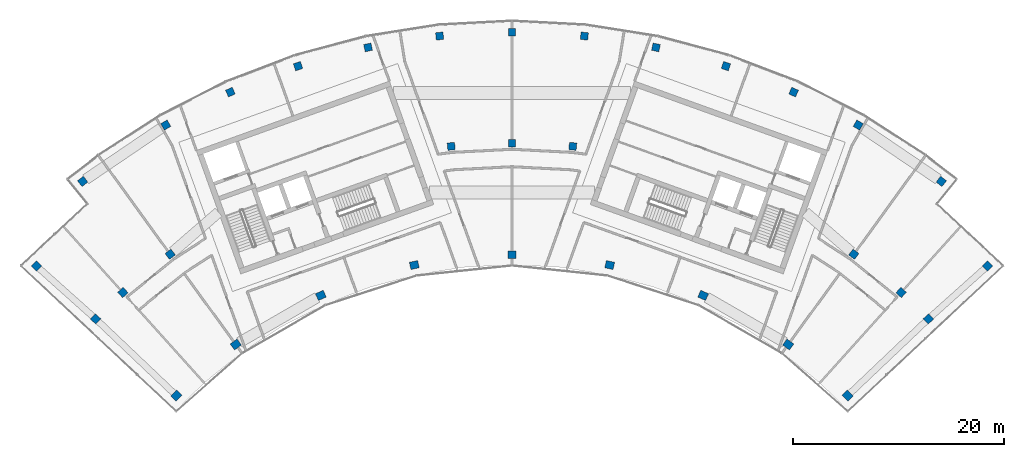
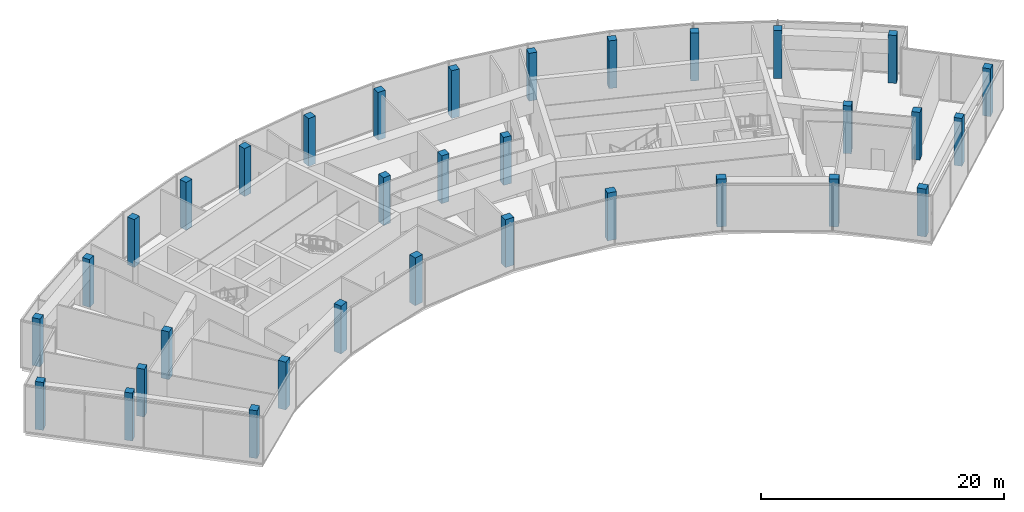
# One storey, part 1 of 17: 33 columns.
"""IFC4 building model written with IfcOpenShell, lengths in metres."""

from ifc_helpers import new_model, si_unit, direction, frame, origin, origin_2d, place, context, subcontext, project, spatial, rectangle, extrude, material, material_profile, profile_set, type_object, element, save


model = new_model("IFC4")

# Units and contexts
model_context = context("Model", 3, precision=1e-05, world=origin(), true_north=direction((0.0, 1.0)))
body_context = subcontext(model_context, "Body", "Model", "MODEL_VIEW")
ifc_project = project(units=[si_unit("LENGTHUNIT", "METRE"), si_unit("AREAUNIT", "SQUARE_METRE"), si_unit("VOLUMEUNIT", "CUBIC_METRE"), si_unit("PLANEANGLEUNIT", "RADIAN"), si_unit("MASSUNIT", "GRAM", prefix="KILO")], contexts=[model_context])

# Site, building, storey
site_placement = place(None, origin())
site = spatial("IfcSite", under=ifc_project, at=site_placement, CompositionType="ELEMENT")
building_placement = place(site_placement, origin())
building = spatial("IfcBuilding", under=site, at=building_placement, Name="Stone Belt Terrace Tower", CompositionType="ELEMENT")
storey_placement = place(building_placement, frame((0.0, 0.0, 318.199951171875)))
storey = spatial("IfcBuildingStorey", under=building, at=storey_placement, Name="L77", CompositionType="ELEMENT", Elevation=318.199951171875)

# Columns
ifc_material = material(Name="Concrete B60", Category="concrete")
ifc_material_profile_1 = material_profile(ifc_material, rectangle(XDim=0.699951171875, YDim=0.699951171875, at=origin_2d()), Name="RC 700x700")
ifc_profile_set_1 = profile_set([ifc_material_profile_1], Name="Concrete B60")
column_type_1 = type_object("IfcColumnType", Name="Column RC 700x700 B60", PredefinedType="COLUMN", material=ifc_profile_set_1)
for number, where, z_axis, x_axis, name in (
    (1, (-39.38818359375, 38.386962890625, 0.0), (0.0, 0.0, 1.0), (0.697944216238, 0.716152128406, 0.0), "Column L77 QA"),
    (2, (-36.80224609375, 40.873046875, 0.0), (0.0, 0.0, 1.0), (0.743144825477, 0.669130606359, 0.0), "Column L77 Q15"),
    (3, (-32.328125, 44.495849609375, 0.0), (0.0, 0.0, 1.0), (0.809016994375, 0.587785252292, 0.0), "Column L77 Q16"),
    (4, (-5.7490234375, 54.69873046875, 0.0), (0.0, 0.0, 1.0), (0.994521895368, 0.104528463268, 0.0), "Column L77 Q21"),
    (5, (0.0, 55.0, 0.0), (0.0, 0.0, 1.0), (1.0, 0.0, 0.0), "Column L77 Q22"),
    (6, (5.7490234375, 54.69873046875, 0.0), (0.0, 0.0, 1.0), (0.994521895368, -0.104528463268, 0.0), "Column L77 Q23"),
    (7, (32.328125, 44.495849609375, 0.0), (0.0, 0.0, 1.0), (0.809016994375, -0.587785252292, 0.0), "Column L77 Q28"),
    (8, (36.80224609375, 40.873046875, 0.0), (0.0, 0.0, 1.0), (0.743144825477, -0.669130606359, 0.0), "Column L77 Q29"),
    (9, (39.38818359375, 38.386962890625, 0.0), (0.0, 0.0, 1.0), (0.697944216238, -0.716152128406, 0.0), "Column L77 QB"),
    (10, (-44.97705078125, 43.381103515625, 0.0), (0.0, 0.0, 1.0), (0.694221333646, 0.719761585465, 0.0), "Column L77 RA"),
    (11, (44.97705078125, 43.381103515625, 0.0), (0.0, 0.0, 1.0), (0.694221333646, -0.719761585465, 0.0), "Column L77 RB"),
    (12, (-40.605712890625, 51.380615234375, 0.0), (0.0, 0.0, 1.0), (0.784569718703, 0.620040608746, 0.0), "Column L77 RNA"),
    (13, (-32.744384765625, 56.715087890625, 0.0), (0.0, 0.0, 1.0), (0.866025403784, 0.5, 0.0), "Column L77 R17"),
    (14, (-26.63671875, 59.8271484375, 0.0), (0.0, 0.0, 1.0), (0.913545457643, 0.406736643076, 0.0), "Column L77 R18"),
    (15, (-20.2373046875, 62.28369140625, 0.0), (0.0, 0.0, 1.0), (0.951056516295, 0.309016994375, 0.0), "Column L77 R19"),
    (16, (-13.615966796875, 64.057861328125, 0.0), (0.0, 0.0, 1.0), (0.978147600734, 0.207911690818, 0.0), "Column L77 R20"),
    (17, (-6.845458984375, 65.130126953125, 0.0), (0.0, 0.0, 1.0), (0.994521895368, 0.104528463268, 0.0), "Column L77 R21"),
    (18, (0.0, 65.489013671875, 0.0), (0.0, 0.0, 1.0), (1.0, 0.0, 0.0), "Column L77 R22"),
    (19, (6.845458984375, 65.130126953125, 0.0), (0.0, 0.0, 1.0), (0.994521895368, -0.104528463268, 0.0), "Column L77 R23"),
    (20, (13.615966796875, 64.057861328125, 0.0), (0.0, 0.0, 1.0), (0.978147600734, -0.207911690818, 0.0), "Column L77 R24"),
    (21, (20.2373046875, 62.28369140625, 0.0), (0.0, 0.0, 1.0), (0.951056516295, -0.309016994375, 0.0), "Column L77 R25"),
    (22, (26.63671875, 59.8271484375, 0.0), (0.0, 0.0, 1.0), (0.913545457643, -0.406736643076, 0.0), "Column L77 R26"),
    (23, (32.744384765625, 56.715087890625, 0.0), (0.0, 0.0, 1.0), (0.866025403784, -0.5, 0.0), "Column L77 R27"),
    (24, (40.605712890625, 51.380615234375, 0.0), (0.0, 0.0, 1.0), (0.784569718703, -0.620040608746, 0.0), "Column L77 RNB"),
):
    element("IfcColumn", number, at=place(storey_placement, frame(where, z_axis=z_axis, x_axis=x_axis)), inside=storey, type_object=column_type_1, Name=name, PredefinedType="COLUMN", context=body_context, shape_type="SweptSolid", body=[
        extrude(rectangle(XDim=0.699951171875, YDim=0.699951171875, at=origin_2d()), origin(), (0.0, 0.0, 1.0), 4.800048828125),
    ])
ifc_material_profile_2 = material_profile(ifc_material, rectangle(XDim=0.800048828125, YDim=0.699951171875, at=origin_2d()), Name="RC 800x700")
ifc_profile_set_2 = profile_set([ifc_material_profile_2], Name="Concrete B60")
column_type_2 = type_object("IfcColumnType", Name="Column RC 800x700 B60", PredefinedType="COLUMN", material=ifc_profile_set_2)
for number, where, z_axis, x_axis, name in (
    (25, (-31.73486328125, 31.11669921875, 0.0), (0.0, 0.0, 1.0), (0.700119596097, 0.714025595592, 0.0), "Column L77 PA"),
    (26, (-26.1240234375, 35.956787109375, 0.0), (0.0, 0.0, 1.0), (0.809016994375, 0.587785252292, 0.0), "Column L77 P16"),
    (27, (-18.077392578125, 40.6025390625, 0.0), (0.0, 0.0, 1.0), (0.913545457643, 0.406736643076, 0.0), "Column L77 P18"),
    (28, (-9.240478515625, 43.473876953125, 0.0), (0.0, 0.0, 1.0), (0.978147600734, 0.207911690818, 0.0), "Column L77 P20"),
    (29, (0.0, 44.445068359375, 0.0), (0.0, 0.0, 1.0), (1.0, 0.0, 0.0), "Column L77 P22"),
    (30, (9.240478515625, 43.473876953125, 0.0), (0.0, 0.0, 1.0), (0.978147600734, -0.207911690818, 0.0), "Column L77 P24"),
    (31, (18.077392578125, 40.6025390625, 0.0), (0.0, 0.0, 1.0), (0.913545457643, -0.406736643076, 0.0), "Column L77 P26"),
    (32, (26.1240234375, 35.956787109375, 0.0), (0.0, 0.0, 1.0), (0.809016994375, -0.587785252292, 0.0), "Column L77 P28"),
    (33, (31.73486328125, 31.11669921875, 0.0), (0.0, 0.0, 1.0), (0.700119596097, -0.714025595592, 0.0), "Column L77 PB"),
):
    element("IfcColumn", number, at=place(storey_placement, frame(where, z_axis=z_axis, x_axis=x_axis)), inside=storey, type_object=column_type_2, Name=name, PredefinedType="COLUMN", context=body_context, shape_type="SweptSolid", body=[
        extrude(rectangle(XDim=0.800048828125, YDim=0.699951171875, at=origin_2d()), origin(), (0.0, 0.0, 1.0), 4.800048828125),
    ])

save(model, "model.ifc")
